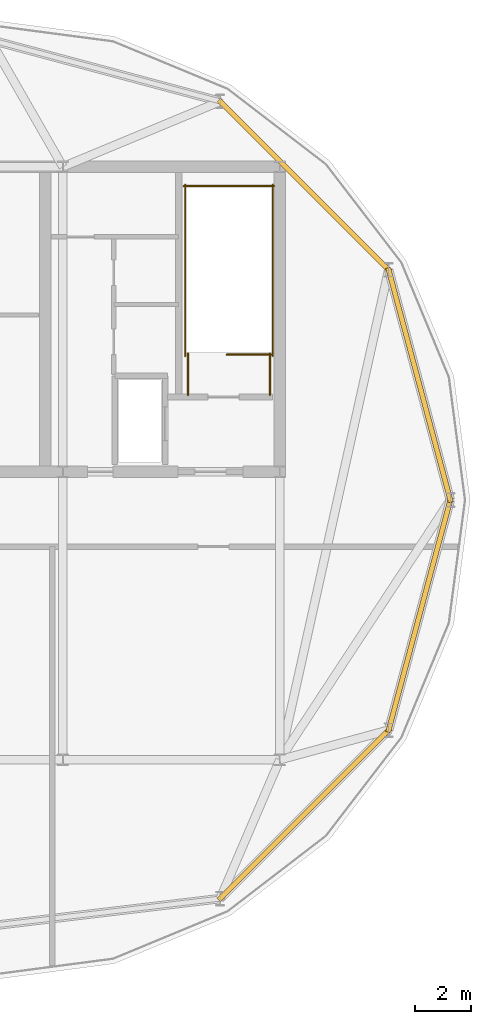
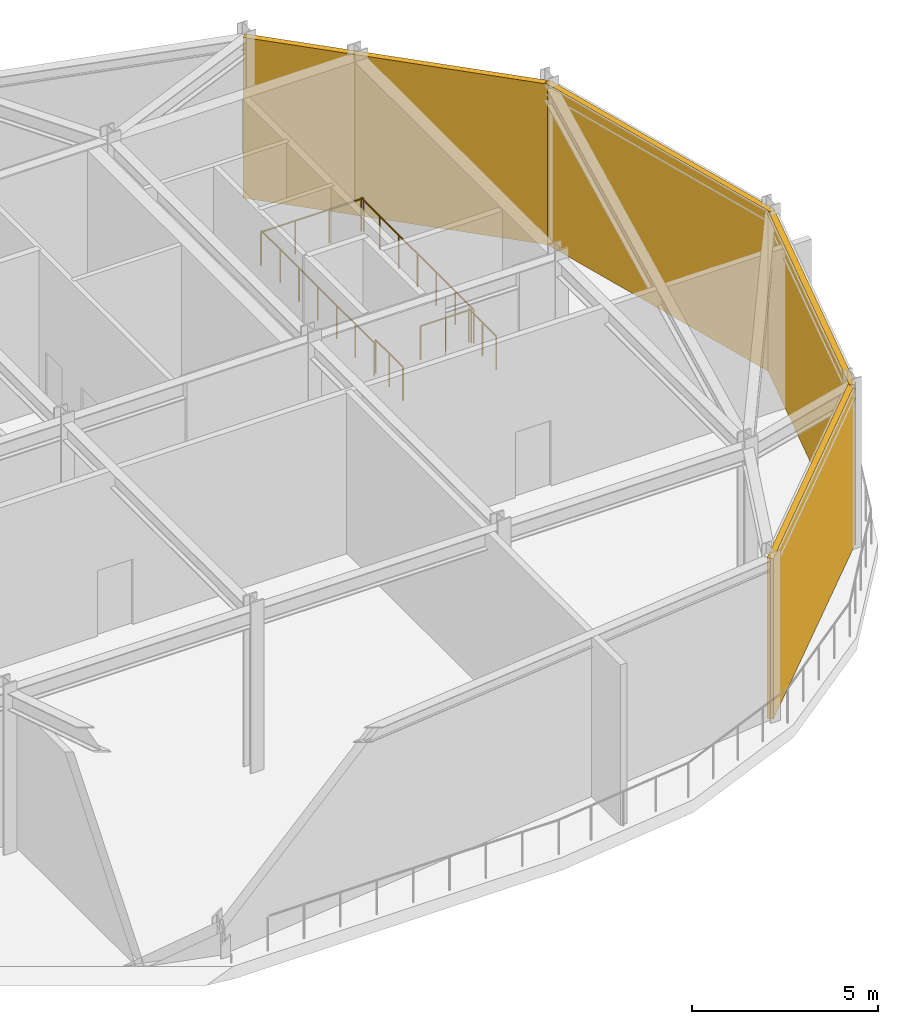
# One storey, part 5 of 5: 6 railings, 4 shading devices.
"""IFC4 building model written with IfcOpenShell, lengths in metres."""

from ifc_helpers import new_model, si_unit, direction, frame, origin, origin_2d, place, context, subcontext, project, spatial, rectangle, circle, extrude, material, layer, layer_set, type_object, element, save


model = new_model("IFC4")

# Units and contexts
model_context = context("Model", 3, precision=1e-05, world=origin(), true_north=direction((0.0, 1.0)))
body_context = subcontext(model_context, "Body", "Model", "MODEL_VIEW")
ifc_project = project(units=[si_unit("LENGTHUNIT", "METRE"), si_unit("AREAUNIT", "SQUARE_METRE"), si_unit("VOLUMEUNIT", "CUBIC_METRE"), si_unit("PLANEANGLEUNIT", "RADIAN"), si_unit("MASSUNIT", "GRAM", prefix="KILO")], contexts=[model_context])

# Site, building, storey
site_placement = place(None, origin())
site = spatial("IfcSite", under=ifc_project, at=site_placement, CompositionType="ELEMENT")
building_placement = place(site_placement, origin())
building = spatial("IfcBuilding", under=site, at=building_placement, Name="Yelkora Congress Tower", CompositionType="ELEMENT")
storey_placement = place(building_placement, frame((0.0, 0.0, 304.39990234375)))
storey = spatial("IfcBuildingStorey", under=building, at=storey_placement, Name="L85", CompositionType="ELEMENT", Elevation=304.39990234375)

# Railings
ifc_material_1 = material(Name="Painted galvanised steel stair well guard with vertical infill", Category="steel")
ifc_layer_1 = layer(ifc_material_1, 0.06005859375)
ifc_layer_set_1 = layer_set([ifc_layer_1], Name="Painted galvanised steel stair well guard with vertical infill")
railing_type = type_object("IfcRailingType", Name="RAIL-STAIR-GUARD-1120", PredefinedType="GUARDRAIL", material=ifc_layer_set_1)
railing_1_placement = place(storey_placement, frame((53.4599609375, 39.550048828125, 0.0)))
element("IfcRailing", 1, at=railing_1_placement, inside=storey, type_object=railing_type, Name="ST-02 L85 Top Stair-Well Guardrail 1", PredefinedType="GUARDRAIL", context=body_context, shape_type="SweptSolid", body=[
    extrude(circle(Radius=0.02392578125, at=origin_2d()), frame((0.0, 0.0, 1.09619140625), z_axis=(-1.0, 0.0, 0.0), x_axis=(0.0, -1.0, 0.0)), (0.0, 0.0, 1.0), 1.580078125),
    extrude(circle(Radius=0.02099609375, at=origin_2d()), origin(), (0.0, 0.0, 1.0), 1.072021484375),
    extrude(circle(Radius=0.02099609375, at=origin_2d()), frame((-0.7900390625, 0.0, 0.0)), (0.0, 0.0, 1.0), 1.072021484375),
    extrude(circle(Radius=0.02099609375, at=origin_2d()), frame((-1.580078125, 0.0, 0.0)), (0.0, 0.0, 1.0), 1.072021484375),
])
for number, where, name in (
    (2, (53.510009765625, 39.5, 0.0), "ST-02 L85 Top Stair-Well Guardrail 2"),
    (3, (50.409912109375, 39.5, 0.0), "ST-02 L85 Top Stair-Well Guardrail 3"),
):
    element("IfcRailing", number, at=place(storey_placement, frame(where)), inside=storey, type_object=railing_type, Name=name, PredefinedType="GUARDRAIL", context=body_context, shape_type="SweptSolid", body=[
        extrude(circle(Radius=0.02392578125, at=origin_2d()), frame((0.0, 0.0, 1.09619140625), z_axis=(0.0, 1.0, 0.0), x_axis=(-1.0, 0.0, 0.0)), (0.0, 0.0, 1.0), 6.070068359375),
        extrude(circle(Radius=0.02099609375, at=origin_2d()), origin(), (0.0, 0.0, 1.0), 1.072021484375),
        extrude(circle(Radius=0.02099609375, at=origin_2d()), frame((0.0, 1.01171875, 0.0)), (0.0, 0.0, 1.0), 1.072021484375),
        extrude(circle(Radius=0.02099609375, at=origin_2d()), frame((0.0, 2.0234375, 0.0)), (0.0, 0.0, 1.0), 1.072021484375),
        extrude(circle(Radius=0.02099609375, at=origin_2d()), frame((0.0, 3.03515625, 0.0)), (0.0, 0.0, 1.0), 1.072021484375),
        extrude(circle(Radius=0.02099609375, at=origin_2d()), frame((0.0, 4.046630859375, 0.0)), (0.0, 0.0, 1.0), 1.072021484375),
        extrude(circle(Radius=0.02099609375, at=origin_2d()), frame((0.0, 5.058349609375, 0.0)), (0.0, 0.0, 1.0), 1.072021484375),
        extrude(circle(Radius=0.02099609375, at=origin_2d()), frame((0.0, 6.070068359375, 0.0)), (0.0, 0.0, 1.0), 1.072021484375),
    ])
railing_2_placement = place(storey_placement, frame((53.56005859375, 45.52001953125, 0.0)))
element("IfcRailing", 4, at=railing_2_placement, inside=storey, type_object=railing_type, Name="ST-02 L85 Top Stair-Well Guardrail 4", PredefinedType="GUARDRAIL", context=body_context, shape_type="SweptSolid", body=[
    extrude(circle(Radius=0.02392578125, at=origin_2d()), frame((0.0, 0.0, 1.09619140625), z_axis=(-1.0, 0.0, 0.0), x_axis=(0.0, -1.0, 0.0)), (0.0, 0.0, 1.0), 3.199951171875),
    extrude(circle(Radius=0.02099609375, at=origin_2d()), origin(), (0.0, 0.0, 1.0), 1.072021484375),
    extrude(circle(Radius=0.02099609375, at=origin_2d()), frame((-1.066650390625, 0.0, 0.0)), (0.0, 0.0, 1.0), 1.072021484375),
    extrude(circle(Radius=0.02099609375, at=origin_2d()), frame((-2.13330078125, 0.0, 0.0)), (0.0, 0.0, 1.0), 1.072021484375),
    extrude(circle(Radius=0.02099609375, at=origin_2d()), frame((-3.199951171875, 0.0, 0.0)), (0.0, 0.0, 1.0), 1.072021484375),
])
for number, where, name in (
    (5, (53.409912109375, 38.1201171875, 0.0), "ST-02 L85 Top Stair-Well Guardrail 5"),
    (6, (50.510009765625, 38.1201171875, 0.0), "ST-02 L85 Top Stair-Well Guardrail 6"),
):
    element("IfcRailing", number, at=place(storey_placement, frame(where)), inside=storey, type_object=railing_type, Name=name, PredefinedType="GUARDRAIL", context=body_context, shape_type="SweptSolid", body=[
        extrude(circle(Radius=0.02392578125, at=origin_2d()), frame((0.0, 0.0, 1.09619140625), z_axis=(0.0, 1.0, 0.0), x_axis=(-1.0, 0.0, 0.0)), (0.0, 0.0, 1.0), 1.47998046875),
        extrude(circle(Radius=0.02099609375, at=origin_2d()), origin(), (0.0, 0.0, 1.0), 1.072021484375),
        extrude(circle(Radius=0.02099609375, at=origin_2d()), frame((0.0, 0.739990234375, 0.0)), (0.0, 0.0, 1.0), 1.072021484375),
        extrude(circle(Radius=0.02099609375, at=origin_2d()), frame((0.0, 1.47998046875, 0.0)), (0.0, 0.0, 1.0), 1.072021484375),
    ])

# Shading devices
ifc_material_2 = material(Name="Acoustic storm-proof aluminium louvre screen", Category="aluminium")
ifc_layer_2 = layer(ifc_material_2, 4.89990234375)
ifc_layer_set_2 = layer_set([ifc_layer_2], Name="Acoustic storm-proof aluminium louvre screen")
shading_device_type = type_object("IfcShadingDeviceType", Name="SHD-LOUVRE-CROWN", PredefinedType="JALOUSIE", material=ifc_layer_set_2)
for number, where, z_axis, x_axis, name in (
    (7, (58.7080078125, 38.47509765625, 0.0), (0.0, 0.0, 1.0), (-0.258819045103, 0.965925826289, 0.0), "L85 Crown Stadium Ring Louvre Screen 1"),
    (8, (54.633056640625, 45.533203125, 0.0), (0.0, 0.0, 1.0), (-0.707106781187, 0.707106781187, 0.0), "L85 Crown Stadium Ring Louvre Screen 2"),
    (9, (54.633056640625, 23.266845703125, 0.0), (0.0, 0.0, 1.0), (0.707106781187, 0.707106781187, 0.0), "L85 Crown Stadium Ring Louvre Screen 11"),
    (10, (58.7080078125, 30.324951171875, 0.0), (0.0, 0.0, 1.0), (0.258819045103, 0.965925826289, 0.0), "L85 Crown Stadium Ring Louvre Screen 12"),
):
    element("IfcShadingDevice", number, at=place(storey_placement, frame(where, z_axis=z_axis, x_axis=x_axis)), inside=storey, type_object=shading_device_type, Name=name, PredefinedType="JALOUSIE", context=body_context, shape_type="SweptSolid", body=[
        extrude(rectangle(XDim=8.58740234375, YDim=0.179931640625, at=origin_2d()), origin(), (0.0, 0.0, 1.0), 5.280029296875),
    ])

save(model, "model.ifc")
